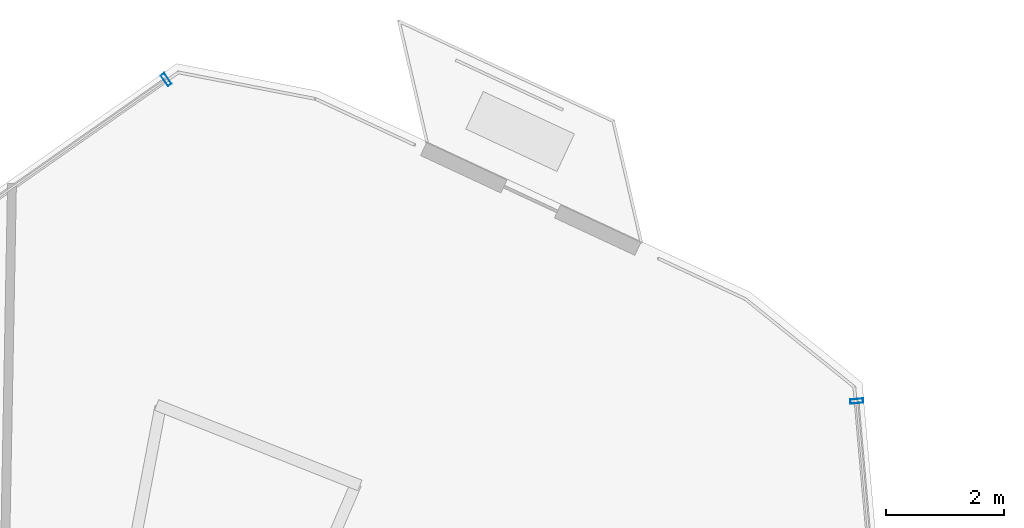
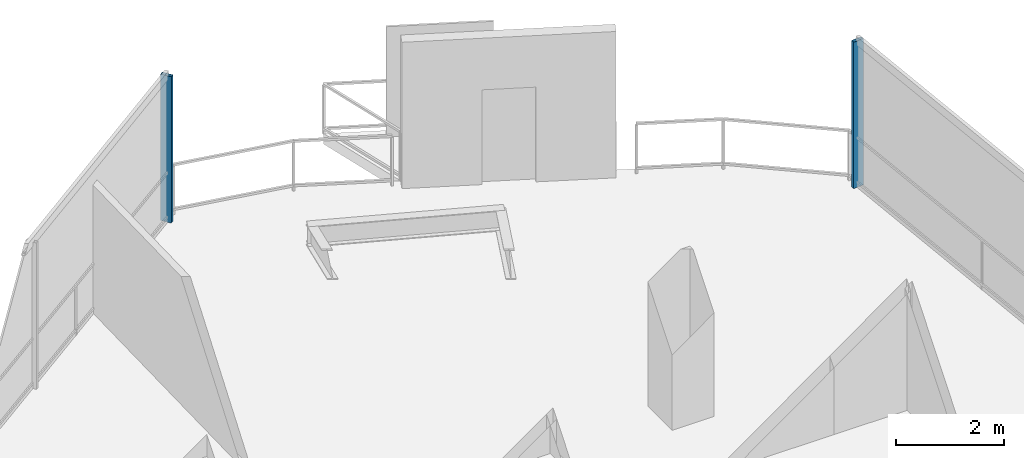
# One storey, part 15 of 20: 2 members, 2 elements without a shape of their own.
"""IFC4 building model written with IfcOpenShell, lengths in metres."""

import ifcopenshell
import ifcopenshell.guid

model = None  # the IFC model being written
_history = None  # IfcOwnerHistory: only IFC2X3 demands one
_inside = {}  # id of a spatial element -> (the spatial element, [elements in it])
_under = {}  # id of a project, library or spatial element -> (it, [spatial elements below it])
_declared = {}  # id of a project -> (the project, [libraries it declares])
_typed = {}  # id of a type object -> (the type object, [elements of that type])
_made_of = {}  # id of a material, layer set ... -> (it, [elements and type objects made of it])


def new_model(schema):
    """Start an empty IFC model of exactly this schema.

    Asked for "IFC4X3", IfcOpenShell would pick the latest addendum, in which some entities
    have other attributes; the version numbers below select the first issue.
    IFC2X3 requires an IfcOwnerHistory on every rooted entity: one is made here for all.
    """
    global model, _history
    if schema == "IFC4X3":
        model = ifcopenshell.file(schema_version=(4, 3, 0, 0))
    else:
        model = ifcopenshell.file(schema=schema)
    _inside.clear()
    _under.clear()
    _declared.clear()
    _typed.clear()
    _made_of.clear()
    _history = None
    if model.schema == "IFC2X3":
        org = make("IfcOrganization", Name="unknown")
        user = make(
            "IfcPersonAndOrganization",
            ThePerson=make("IfcPerson", FamilyName="unknown"),
            TheOrganization=org,
        )
        app = make(
            "IfcApplication",
            ApplicationDeveloper=org,
            Version="unknown",
            ApplicationFullName="unknown",
            ApplicationIdentifier="unknown",
        )
        _history = make(
            "IfcOwnerHistory",
            OwningUser=user,
            OwningApplication=app,
            ChangeAction="ADDED",
            CreationDate=0,
        )
    return model


def make(cls, **values):
    """One entity of the class cls with the attributes given. An attribute that is None is left unset."""
    return model.create_entity(
        cls, **{name: value for name, value in values.items() if value is not None}
    )


def rooted(cls, **values):
    """An entity with a GlobalId (a new one), such as an element, a storey or a relation."""
    return make(cls, GlobalId=ifcopenshell.guid.new(), OwnerHistory=_history, **values)


def si_unit(unit_type, name, prefix=None):
    """IfcSIUnit, for example si_unit("LENGTHUNIT", "METRE", prefix="MILLI")."""
    return make("IfcSIUnit", UnitType=unit_type, Prefix=prefix, Name=name)


def assignment(units):
    """IfcUnitAssignment: the units of a project."""
    return None if units is None else make("IfcUnitAssignment", Units=units)


def point(xyz):
    """IfcCartesianPoint."""
    return None if xyz is None else make("IfcCartesianPoint", Coordinates=xyz)


def direction(xyz):
    """IfcDirection."""
    return None if xyz is None else make("IfcDirection", DirectionRatios=xyz)


def frame(location, z_axis=None, x_axis=None):
    """IfcAxis2Placement3D, a coordinate frame: its origin and axes. An axis left out is left unset."""
    return make(
        "IfcAxis2Placement3D",
        Location=point(location),
        Axis=direction(z_axis),
        RefDirection=direction(x_axis),
    )


def frame_2d(location, x_axis=None):
    """IfcAxis2Placement2D, a coordinate frame in the plane: its origin and x axis."""
    return make(
        "IfcAxis2Placement2D", Location=point(location), RefDirection=direction(x_axis)
    )


def origin():
    """The frame at (0, 0, 0) with its axes left unset."""
    return frame((0.0, 0.0, 0.0))


def origin_2d():
    """The frame at (0, 0) in the plane with its x axis left unset."""
    return frame_2d((0.0, 0.0))


def place(relative_to, where):
    """IfcLocalPlacement: puts the frame where relative to a parent placement (None: the world)."""
    return make(
        "IfcLocalPlacement", PlacementRelTo=relative_to, RelativePlacement=where
    )


def context(
    kind, dimensions, precision=None, world=None, true_north=None, identifier=None
):
    """IfcGeometricRepresentationContext, for example the 3D "Model" context."""
    return make(
        "IfcGeometricRepresentationContext",
        ContextIdentifier=identifier,
        ContextType=kind,
        CoordinateSpaceDimension=dimensions,
        Precision=precision,
        WorldCoordinateSystem=world,
        TrueNorth=true_north,
    )


def subcontext(parent, identifier, kind, view, scale=None):
    """IfcGeometricRepresentationSubContext, for example "Body" below "Model"."""
    return make(
        "IfcGeometricRepresentationSubContext",
        ContextIdentifier=identifier,
        ContextType=kind,
        ParentContext=parent,
        TargetScale=scale,
        TargetView=view,
    )


def project(units=None, contexts=None):
    """IfcProject with its units and contexts."""
    return rooted(
        "IfcProject",
        Name="project",
        RepresentationContexts=contexts,
        UnitsInContext=assignment(units),
    )


def spatial(cls, under=None, at=None, **own):
    """A site, building, storey or space (cls), placed at a placement, below another one or the project."""
    s = rooted(cls, ObjectPlacement=at, **own)
    if under is not None:
        _under.setdefault(under.id(), (under, []))[1].append(s)
    return s


def profile(cls, at=None, kind="AREA", **sizes):
    """A parametric profile (cls). Its sizes go by their IFC names, for example OverallWidth=200.0."""
    return make(cls, ProfileType=kind, Position=at, **sizes)


def hollow_rectangle(**sizes):
    """IfcRectangleHollowProfileDef."""
    return profile("IfcRectangleHollowProfileDef", **sizes)


def extrude(swept, where, along, depth):
    """IfcExtrudedAreaSolid: the profile swept, set in the frame where, extruded along a direction by depth."""
    return make(
        "IfcExtrudedAreaSolid",
        SweptArea=swept,
        Position=where,
        ExtrudedDirection=direction(along),
        Depth=depth,
    )


def shape(context_of_items, identifier, shape_type, items):
    """IfcShapeRepresentation: the items that make up one representation, for example the "Body"."""
    return make(
        "IfcShapeRepresentation",
        ContextOfItems=context_of_items,
        RepresentationIdentifier=identifier,
        RepresentationType=shape_type,
        Items=items,
    )


def material(Name=None, Category=None):
    """IfcMaterial."""
    return make("IfcMaterial", Name=Name, Category=Category)


def layer(
    of_material, thickness, ventilated=None, Name=None, Category=None, Priority=None
):
    """IfcMaterialLayer: one layer of a wall or slab, of a material (None: an air gap)."""
    return make(
        "IfcMaterialLayer",
        Material=of_material,
        LayerThickness=thickness,
        IsVentilated=ventilated,
        Name=Name,
        Category=Category,
        Priority=Priority,
    )


def layer_set(layers, Name=None):
    """IfcMaterialLayerSet."""
    return make("IfcMaterialLayerSet", MaterialLayers=layers, LayerSetName=Name)


def material_profile(
    of_material, cross_section, Name=None, Category=None, Priority=None
):
    """IfcMaterialProfile: a cross section and its material."""
    return make(
        "IfcMaterialProfile",
        Name=Name,
        Material=of_material,
        Profile=cross_section,
        Priority=Priority,
        Category=Category,
    )


def profile_set(profiles, Name=None, composite=None):
    """IfcMaterialProfileSet."""
    return make(
        "IfcMaterialProfileSet",
        Name=Name,
        MaterialProfiles=profiles,
        CompositeProfile=composite,
    )


def made_of(thing, what):
    """Note that an element or type object is made of a material, layer set ...; save() writes the relation."""
    if what is not None:
        _made_of.setdefault(what.id(), (what, []))[1].append(thing)
    return thing


def type_object(cls, material=None, **own):
    """A type object (cls), such as IfcWallType, which elements share."""
    return made_of(rooted(cls, **own), material)


def element(
    cls,
    number,
    at=None,
    inside=None,
    cuts=None,
    type_object=None,
    material=None,
    context=None,
    identifier="Body",
    shape_type=None,
    held_by="IfcProductDefinitionShape",
    body=None,
    shapes=None,
    **own,
):
    """One element of the class cls, such as IfcWall. Its Tag is "e" and its number.

    at: its placement. inside: the storey or other place that contains it. cuts: it is an
    opening in that element (IfcRelVoidsElement). A single representation is given by context,
    identifier, shape_type and body (its items); several are given by shapes. held_by: the class
    of the entity that holds the representations. save() writes the other relations.
    """
    e = rooted(cls, Tag="e%d" % number, ObjectPlacement=at, **own)
    if body is not None:
        shapes = [shape(context, identifier, shape_type, body)]
    if shapes is not None:
        e.Representation = make(held_by, Representations=shapes)
    if inside is not None:
        _inside.setdefault(inside.id(), (inside, []))[1].append(e)
    if cuts is not None:
        rooted(
            "IfcRelVoidsElement", RelatingBuildingElement=cuts, RelatedOpeningElement=e
        )
    if type_object is not None:
        _typed.setdefault(type_object.id(), (type_object, []))[1].append(e)
    return made_of(e, material)


def aggregate(whole, parts):
    """IfcRelAggregates: a whole, such as a stair, and the parts it consists of."""
    return rooted("IfcRelAggregates", RelatingObject=whole, RelatedObjects=parts)


def save(model, path):
    """Write the relations noted so far, then the file.

    IfcRelAggregates (storeys below a building ...), IfcRelContainedInSpatialStructure (elements
    in a storey), IfcRelDefinesByType, IfcRelAssociatesMaterial and IfcRelDeclares: one each for
    every whole, place, type object, material and project.
    """
    for whole, parts in _under.values():
        aggregate(whole, parts)
    for where, things in _inside.values():
        rooted(
            "IfcRelContainedInSpatialStructure",
            RelatedElements=things,
            RelatingStructure=where,
        )
    for kind, things in _typed.values():
        rooted("IfcRelDefinesByType", RelatedObjects=things, RelatingType=kind)
    for what, things in _made_of.values():
        rooted("IfcRelAssociatesMaterial", RelatedObjects=things, RelatingMaterial=what)
    for by, libraries in _declared.values():
        rooted("IfcRelDeclares", RelatingContext=by, RelatedDefinitions=libraries)
    model.write(path)


model = new_model("IFC4")

# Units and contexts
model_context = context("Model", 3, precision=1e-05, world=origin(), true_north=direction((0.0, 1.0)))
body_context = subcontext(model_context, "Body", "Model", "MODEL_VIEW")
ifc_project = project(units=[si_unit("LENGTHUNIT", "METRE"), si_unit("AREAUNIT", "SQUARE_METRE"), si_unit("VOLUMEUNIT", "CUBIC_METRE"), si_unit("PLANEANGLEUNIT", "RADIAN"), si_unit("MASSUNIT", "GRAM", prefix="KILO")], contexts=[model_context])

# Site, building, storey
site_placement = place(None, origin())
site = spatial("IfcSite", under=ifc_project, at=site_placement, CompositionType="ELEMENT")
building_placement = place(site_placement, origin())
building = spatial("IfcBuilding", under=site, at=building_placement, Name="Qarnah Convention Tower", CompositionType="ELEMENT")
storey_placement = place(building_placement, frame((0.0, 0.0, 198.60009765625)))
storey = spatial("IfcBuildingStorey", under=building, at=storey_placement, Name="L53", CompositionType="ELEMENT", Elevation=198.60009765625)

# Curtain wall, member
ifc_material_1 = material(Name="Tempered Low-E dark glass", Category="glass")
ifc_layer = layer(ifc_material_1, 0.174072265625)
ifc_layer_set = layer_set([ifc_layer], Name="Tempered Low-E dark glass")
curtain_wall_type = type_object("IfcCurtainWallType", Name="CWS-04", PredefinedType="NOTDEFINED", material=ifc_layer_set)
curtain_wall_1_placement = place(storey_placement, origin())
curtain_wall_1 = element("IfcCurtainWall", 1, at=curtain_wall_1_placement, inside=storey, type_object=curtain_wall_type, Name="L53 unitised curtain wall CW-L53-F1", PredefinedType="NOTDEFINED")
ifc_material_2 = material(Name="Black anodised aluminium", Category="aluminium")
ifc_material_profile = material_profile(ifc_material_2, hollow_rectangle(XDim=0.074951171875, YDim=0.219970703125, WallThickness=0.0048828125, at=origin_2d()), Name="MUL-75X220")
ifc_profile_set = profile_set([ifc_material_profile], Name="Black anodised aluminium")
member_type = type_object("IfcMemberType", Name="MUL-T4", PredefinedType="MULLION", material=ifc_profile_set)
member_1_placement = place(storey_placement, frame((40.3310546875, 47.97607421875, 0.0), z_axis=(0.0, 0.0, 1.0), x_axis=(0.818736601827, 0.57416929283, 0.0)))
member_1 = element("IfcMember", 2, at=member_1_placement, type_object=member_type, Name="CW-L53-F1 mullion 6", PredefinedType="MULLION", context=body_context, shape_type="SweptSolid", body=[
    extrude(hollow_rectangle(XDim=0.074951171875, YDim=0.219970703125, WallThickness=0.0048828125, at=origin_2d()), origin(), (0.0, 0.0, 1.0), 3.31982421875),
])
aggregate(curtain_wall_1, [member_1])

curtain_wall_2_placement = place(storey_placement, origin())
curtain_wall_2 = element("IfcCurtainWall", 3, at=curtain_wall_2_placement, inside=storey, type_object=curtain_wall_type, Name="L53 unitised curtain wall CW-L53-F3", PredefinedType="NOTDEFINED")
member_2_placement = place(storey_placement, frame((52.011962890625, 42.5380859375, 0.0), z_axis=(0.0, 0.0, 1.0), x_axis=(0.087861384632, -0.996132710582, 0.0)))
member_2 = element("IfcMember", 4, at=member_2_placement, type_object=member_type, Name="CW-L53-F3 mullion 1", PredefinedType="MULLION", context=body_context, shape_type="SweptSolid", body=[
    extrude(hollow_rectangle(XDim=0.074951171875, YDim=0.219970703125, WallThickness=0.0048828125, at=origin_2d()), origin(), (0.0, 0.0, 1.0), 3.31982421875),
])
aggregate(curtain_wall_2, [member_2])

save(model, "model.ifc")
